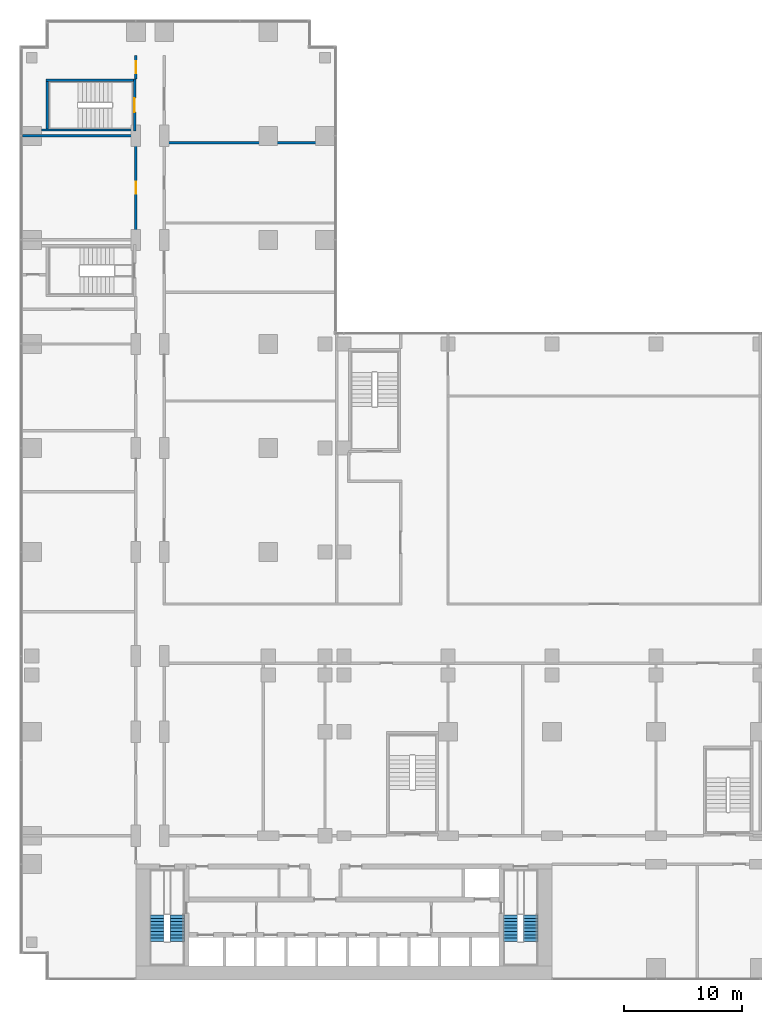
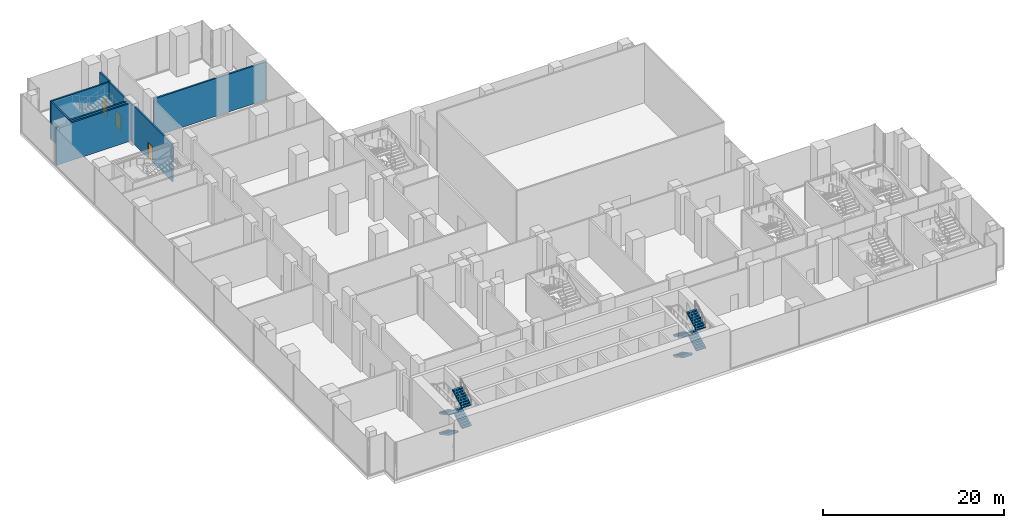
# One storey, part 22 of 30: 8 stair flights, 8 walls, 3 doors, 3 openings, 2 elements without a shape of their own.
"""IFC4 building model written with IfcOpenShell, lengths in metres."""

from ifc_helpers import new_model, si_unit, direction, frame, frame_2d, origin, place, context, subcontext, project, spatial, polyline, rectangle, outline, extrude, material, layer, layer_set, type_object, element, fill, aggregate, save


model = new_model("IFC4")

# Units and contexts
model_context = context("Model", 3, precision=1e-05, world=origin(), true_north=direction((0.0, 1.0)))
body_context = subcontext(model_context, "Body", "Model", "MODEL_VIEW")
ifc_project = project(units=[si_unit("LENGTHUNIT", "METRE"), si_unit("AREAUNIT", "SQUARE_METRE"), si_unit("VOLUMEUNIT", "CUBIC_METRE"), si_unit("PLANEANGLEUNIT", "RADIAN"), si_unit("MASSUNIT", "GRAM", prefix="KILO")], contexts=[model_context])

# Site, building, storey
site_placement = place(None, origin())
site = spatial("IfcSite", under=ifc_project, at=site_placement, CompositionType="ELEMENT")
building_placement = place(site_placement, origin())
building = spatial("IfcBuilding", under=site, at=building_placement, Name="Kemantara Hotel Tower", CompositionType="ELEMENT")
storey_placement = place(building_placement, frame((0.0, 0.0, 18.0)))
storey = spatial("IfcBuildingStorey", under=building, at=storey_placement, Name="L03", CompositionType="ELEMENT", Elevation=18.0)

# Wall, opening, door
ifc_material_1 = material(Name="Concrete fc 40 MPa", Category="concrete")
ifc_layer_1 = layer(ifc_material_1, 0.199951171875)
ifc_layer_set_1 = layer_set([ifc_layer_1], Name="Concrete fc 40 MPa")
wall_type_1 = type_object("IfcWallType", Name="Concrete stair wall 200 mm", PredefinedType="SHEAR", material=ifc_layer_set_1)
wall_1_placement = place(storey_placement, frame((9.699951171875, 71.800048828125, 0.0), z_axis=(0.0, 0.0, 1.0), x_axis=(0.0, 1.0, 0.0)))
wall_1 = element("IfcWall", 1, at=wall_1_placement, inside=storey, type_object=wall_type_1, Name="Stair ST6 enclosure wall with door", PredefinedType="SHEAR", context=body_context, shape_type="SweptSolid", body=[
    extrude(rectangle(XDim=4.39990234375, YDim=0.199951171875, at=frame_2d((2.199951171875, 0.0))), origin(), (0.0, 0.0, 1.0), 5.10009765625),
])
opening_1_placement = place(wall_1_placement, frame((1.60009765625, 0.0, 0.0)))
opening_1 = element("IfcOpeningElement", 2, at=opening_1_placement, cuts=wall_1, Name="Opening ST6-C", PredefinedType="OPENING", context=body_context, shape_type="SweptSolid", body=[
    extrude(rectangle(XDim=1.199951171875, YDim=2.10009765625, at=frame_2d((0.60009765625, 1.050048828125))), frame((0.0, 0.10986328125, 0.0), z_axis=(0.0, -1.0, 0.0), x_axis=(1.0, 0.0, 0.0)), (0.0, 0.0, 1.0), 0.219970703125),
])
ifc_material_2 = material(Name="Steel fire door", Category="steel")
door_type_1 = type_object("IfcDoorType", Name="Fire door FD90 1200 x 2100", OperationType="NOTDEFINED", PredefinedType="DOOR", material=ifc_material_2)
door_1_placement = place(opening_1_placement, origin())
door_1 = element("IfcDoor", 3, at=door_1_placement, inside=storey, type_object=door_type_1, Name="Stair ST6 door", OperationType="SINGLE_SWING_RIGHT", OverallHeight=2.10009765625, OverallWidth=1.199951171875, PredefinedType="DOOR", context=body_context, shape_type="SweptSolid", body=[
    extrude(rectangle(XDim=1.199951171875, YDim=2.10009765625, at=frame_2d((0.60009765625, 1.050048828125))), frame((0.0, 0.02490234375, 0.0), z_axis=(0.0, -1.0, 0.0), x_axis=(1.0, 0.0, 0.0)), (0.0, 0.0, 1.0), 0.050048828125),
])
fill(opening_1, door_1)

# Walls
wall_2_placement = place(storey_placement, frame((2.199951171875, 76.10009765625, 0.0), z_axis=(0.0, 0.0, 1.0), x_axis=(1.0, 0.0, 0.0)))
element("IfcWall", 4, at=wall_2_placement, inside=storey, type_object=wall_type_1, Name="Stair ST6 enclosure wall N", PredefinedType="SHEAR", context=body_context, shape_type="SweptSolid", body=[
    extrude(rectangle(XDim=7.400146484375, YDim=0.199951171875, at=frame_2d((3.7001953125, 0.0))), origin(), (0.0, 0.0, 1.0), 5.10009765625),
])
wall_3_placement = place(storey_placement, frame((1.800048828125, 71.89990234375, 0.0), z_axis=(0.0, 0.0, 1.0), x_axis=(1.0, 0.0, 0.0)))
element("IfcWall", 5, at=wall_3_placement, inside=storey, type_object=wall_type_1, Name="Stair ST6 enclosure wall S", PredefinedType="SHEAR", context=body_context, shape_type="SweptSolid", body=[
    extrude(rectangle(XDim=7.800048828125, YDim=0.199951171875, at=frame_2d((3.89990234375, 0.0))), origin(), (0.0, 0.0, 1.0), 5.10009765625),
])
wall_4_placement = place(storey_placement, frame((2.300048828125, 72.0, 0.0), z_axis=(0.0, 0.0, 1.0), x_axis=(0.0, 1.0, 0.0)))
element("IfcWall", 6, at=wall_4_placement, inside=storey, type_object=wall_type_1, Name="Stair ST6 enclosure wall W", PredefinedType="SHEAR", context=body_context, shape_type="SweptSolid", body=[
    extrude(rectangle(XDim=4.0, YDim=0.199951171875, at=frame_2d((2.0, 0.0))), origin(), (0.0, 0.0, 1.0), 5.10009765625),
])

# Wall, opening, door
ifc_material_3 = material(Name="Fire-rated gypsum board partition")
ifc_layer_2 = layer(ifc_material_3, 0.199951171875)
ifc_layer_set_2 = layer_set([ifc_layer_2], Name="Fire-rated gypsum board partition")
wall_type_2 = type_object("IfcWallType", Name="FIRE-RATED GYPSUM PARTITION 200 EI 60", PredefinedType="PARTITIONING", material=ifc_layer_set_2)
wall_5_placement = place(storey_placement, frame((9.800048828125, 62.199951171875, 0.0), z_axis=(0.0, 0.0, 1.0), x_axis=(0.0, 1.0, 0.0)))
wall_5 = element("IfcWall", 7, at=wall_5_placement, inside=storey, type_object=wall_type_2, Name="FIRE-RATED PARTITION", PredefinedType="PARTITIONING", context=body_context, shape_type="SweptSolid", body=[
    extrude(rectangle(XDim=9.60009765625, YDim=0.199951171875, at=frame_2d((4.800048828125, 0.0))), origin(), (0.0, 0.0, 1.0), 5.10009765625),
])
opening_2_placement = place(wall_5_placement, frame((4.300048828125, 0.0, 0.0)))
opening_2 = element("IfcOpeningElement", 8, at=opening_2_placement, cuts=wall_5, Name="Opening L03-B012", PredefinedType="OPENING", context=body_context, shape_type="SweptSolid", body=[
    extrude(rectangle(XDim=1.0, YDim=2.10009765625, at=frame_2d((0.5, 1.050048828125))), frame((0.0, 0.10986328125, 0.0), z_axis=(0.0, -1.0, 0.0), x_axis=(1.0, 0.0, 0.0)), (0.0, 0.0, 1.0), 0.219970703125),
])
ifc_material_4 = material(Name="Timber veneer door leaf", Category="wood")
door_type_2 = type_object("IfcDoorType", Name="SINGLE LEAF TIMBER DOOR 1000 X 2100", OperationType="SINGLE_SWING_LEFT", PredefinedType="DOOR", material=ifc_material_4)
door_2_placement = place(opening_2_placement, origin())
door_2 = element("IfcDoor", 9, at=door_2_placement, inside=storey, type_object=door_type_2, Name="SINGLE LEAF TIMBER DOOR", OperationType="SINGLE_SWING_RIGHT", OverallHeight=2.10009765625, OverallWidth=1.0, PredefinedType="DOOR", context=body_context, shape_type="SweptSolid", body=[
    extrude(rectangle(XDim=1.0, YDim=2.10009765625, at=frame_2d((0.5, 1.050048828125))), frame((0.0, 0.02490234375, 0.0), z_axis=(0.0, -1.0, 0.0), x_axis=(1.0, 0.0, 0.0)), (0.0, 0.0, 1.0), 0.050048828125),
])
fill(opening_2, door_2)

wall_6_placement = place(storey_placement, frame((9.800048828125, 76.199951171875, 0.0), z_axis=(0.0, 0.0, 1.0), x_axis=(0.0, 1.0, 0.0)))
wall_6 = element("IfcWall", 10, at=wall_6_placement, inside=storey, type_object=wall_type_2, Name="FIRE-RATED PARTITION", PredefinedType="PARTITIONING", context=body_context, shape_type="SweptSolid", body=[
    extrude(rectangle(XDim=2.0, YDim=0.199951171875, at=frame_2d((1.0, 0.0))), origin(), (0.0, 0.0, 1.0), 5.10009765625),
])
opening_3_placement = place(wall_6_placement, frame((0.5, 0.0, 0.0)))
opening_3 = element("IfcOpeningElement", 11, at=opening_3_placement, cuts=wall_6, Name="Opening L03-B013", PredefinedType="OPENING", context=body_context, shape_type="SweptSolid", body=[
    extrude(rectangle(XDim=1.0, YDim=2.10009765625, at=frame_2d((0.5, 1.050048828125))), frame((0.0, 0.10986328125, 0.0), z_axis=(0.0, -1.0, 0.0), x_axis=(1.0, 0.0, 0.0)), (0.0, 0.0, 1.0), 0.219970703125),
])
door_3_placement = place(opening_3_placement, origin())
door_3 = element("IfcDoor", 12, at=door_3_placement, inside=storey, type_object=door_type_2, Name="SINGLE LEAF TIMBER DOOR", OperationType="SINGLE_SWING_RIGHT", OverallHeight=2.10009765625, OverallWidth=1.0, PredefinedType="DOOR", context=body_context, shape_type="SweptSolid", body=[
    extrude(rectangle(XDim=1.0, YDim=2.10009765625, at=frame_2d((0.5, 1.050048828125))), frame((0.0, 0.02490234375, 0.0), z_axis=(0.0, -1.0, 0.0), x_axis=(1.0, 0.0, 0.0)), (0.0, 0.0, 1.0), 0.050048828125),
])
fill(opening_3, door_3)

# Walls
ifc_material_5 = material(Name="Gypsum board partition")
ifc_layer_3 = layer(ifc_material_5, 0.199951171875)
ifc_layer_set_3 = layer_set([ifc_layer_3], Name="Gypsum board partition")
wall_type_3 = type_object("IfcWallType", Name="GYPSUM BOARD PARTITION 200", PredefinedType="PARTITIONING", material=ifc_layer_set_3)
wall_7_placement = place(storey_placement, frame((0.199951171875, 71.39990234375, 0.0), z_axis=(0.0, 0.0, 1.0), x_axis=(1.0, 0.0, 0.0)))
element("IfcWall", 13, at=wall_7_placement, inside=storey, type_object=wall_type_3, Name="PARTITION", PredefinedType="PARTITIONING", context=body_context, shape_type="SweptSolid", body=[
    extrude(rectangle(XDim=9.5, YDim=0.199951171875, at=frame_2d((4.75, 0.0))), origin(), (0.0, 0.0, 1.0), 5.10009765625),
])
wall_8_placement = place(storey_placement, frame((12.300048828125, 70.820068359375, 0.0), z_axis=(0.0, 0.0, 1.0), x_axis=(1.0, 0.0, 0.0)))
element("IfcWall", 14, at=wall_8_placement, inside=storey, type_object=wall_type_3, Name="PARTITION", PredefinedType="PARTITIONING", context=body_context, shape_type="SweptSolid", body=[
    extrude(rectangle(XDim=14.300048828125, YDim=0.199951171875, at=frame_2d((7.14990234375, 0.0))), origin(), (0.0, 0.0, 1.0), 5.10009765625),
])

# Stair, stair flights
stair_type = type_object("IfcStairType", Name="Stair 1200 wide 36 risers of 153 x 280 mm", PredefinedType="HALF_TURN_STAIR", material=ifc_material_1)
stair_1_placement = place(storey_placement, origin())
stair_1 = element("IfcStair", 15, at=stair_1_placement, inside=storey, type_object=stair_type, Name="L03 Exit stair ST1", PredefinedType="HALF_TURN_STAIR")
stair_flight_type = type_object("IfcStairFlightType", Name="Stair flight 1200 wide 153 x 280 mm", PredefinedType="STRAIGHT", material=ifc_material_1)
stair_flight_1_placement = place(storey_placement, frame((11.60009765625, 5.5, 0.0), z_axis=(0.0, 0.0, 1.0), x_axis=(0.0, -1.0, 0.0)))
stair_flight_1 = element("IfcStairFlight", 16, at=stair_flight_1_placement, type_object=stair_flight_type, Name="ST1 flight 1", NumberOfRisers=9, NumberOfTreads=8, PredefinedType="STRAIGHT", RiserHeight=0.152777778, TreadLength=0.28, context=body_context, shape_type="SweptSolid", body=[
    extrude(outline(polyline([(0.0, 0.0), (0.0, 0.15283203125), (0.280029296875, 0.15283203125), (0.280029296875, 0.3056640625), (0.56005859375, 0.3056640625), (0.56005859375, 0.458251953125), (0.840087890625, 0.458251953125), (0.840087890625, 0.611083984375), (1.1201171875, 0.611083984375), (1.1201171875, 0.763916015625), (1.39990234375, 0.763916015625), (1.39990234375, 0.916748046875), (1.679931640625, 0.916748046875), (1.679931640625, 1.0693359375), (1.9599609375, 1.0693359375), (1.9599609375, 1.22216796875), (2.239990234375, 1.22216796875), (2.239990234375, 1.375), (2.239990234375, 1.051513671875), (0.31298828125, 0.0), (0.0, 0.0)])), frame((0.0, 0.60009765625, 0.0), z_axis=(0.0, -1.0, 0.0), x_axis=(1.0, 0.0, 0.0)), (0.0, 0.0, 1.0), 1.199951171875),
])
stair_flight_2_placement = place(storey_placement, frame((13.300048828125, 3.260009765625, 1.375), z_axis=(0.0, 0.0, 1.0), x_axis=(0.0, 1.0, 0.0)))
stair_flight_2 = element("IfcStairFlight", 17, at=stair_flight_2_placement, type_object=stair_flight_type, Name="ST1 flight 2", NumberOfRisers=9, NumberOfTreads=8, PredefinedType="STRAIGHT", RiserHeight=0.152777778, TreadLength=0.28, context=body_context, shape_type="SweptSolid", body=[
    extrude(outline(polyline([(0.0, 0.0), (0.0, 0.15283203125), (0.280029296875, 0.15283203125), (0.280029296875, 0.3056640625), (0.56005859375, 0.3056640625), (0.56005859375, 0.458251953125), (0.840087890625, 0.458251953125), (0.840087890625, 0.611083984375), (1.1201171875, 0.611083984375), (1.1201171875, 0.763916015625), (1.39990234375, 0.763916015625), (1.39990234375, 0.916748046875), (1.679931640625, 0.916748046875), (1.679931640625, 1.0693359375), (1.9599609375, 1.0693359375), (1.9599609375, 1.22216796875), (2.239990234375, 1.22216796875), (2.239990234375, 1.375), (2.239990234375, 1.051513671875), (0.31298828125, 0.0), (0.0, 0.0)])), frame((0.0, 0.60009765625, 0.0), z_axis=(0.0, -1.0, 0.0), x_axis=(1.0, 0.0, 0.0)), (0.0, 0.0, 1.0), 1.199951171875),
])
stair_flight_3_placement = place(storey_placement, frame((11.60009765625, 5.5, 2.75), z_axis=(0.0, 0.0, 1.0), x_axis=(0.0, -1.0, 0.0)))
stair_flight_3 = element("IfcStairFlight", 18, at=stair_flight_3_placement, type_object=stair_flight_type, Name="ST1 flight 3", NumberOfRisers=9, NumberOfTreads=8, PredefinedType="STRAIGHT", RiserHeight=0.152777778, TreadLength=0.28, context=body_context, shape_type="SweptSolid", body=[
    extrude(outline(polyline([(0.0, 0.0), (0.0, 0.15283203125), (0.280029296875, 0.15283203125), (0.280029296875, 0.3056640625), (0.56005859375, 0.3056640625), (0.56005859375, 0.458251953125), (0.840087890625, 0.458251953125), (0.840087890625, 0.611083984375), (1.1201171875, 0.611083984375), (1.1201171875, 0.763916015625), (1.39990234375, 0.763916015625), (1.39990234375, 0.916748046875), (1.679931640625, 0.916748046875), (1.679931640625, 1.0693359375), (1.9599609375, 1.0693359375), (1.9599609375, 1.22216796875), (2.239990234375, 1.22216796875), (2.239990234375, 1.375), (2.239990234375, 1.051513671875), (0.31298828125, 0.0), (0.0, 0.0)])), frame((0.0, 0.60009765625, 0.0), z_axis=(0.0, -1.0, 0.0), x_axis=(1.0, 0.0, 0.0)), (0.0, 0.0, 1.0), 1.199951171875),
])
stair_flight_4_placement = place(storey_placement, frame((13.300048828125, 3.260009765625, 4.125), z_axis=(0.0, 0.0, 1.0), x_axis=(0.0, 1.0, 0.0)))
stair_flight_4 = element("IfcStairFlight", 19, at=stair_flight_4_placement, type_object=stair_flight_type, Name="ST1 flight 4", NumberOfRisers=9, NumberOfTreads=8, PredefinedType="STRAIGHT", RiserHeight=0.152777778, TreadLength=0.28, context=body_context, shape_type="SweptSolid", body=[
    extrude(outline(polyline([(0.0, 0.0), (0.0, 0.15283203125), (0.280029296875, 0.15283203125), (0.280029296875, 0.3056640625), (0.56005859375, 0.3056640625), (0.56005859375, 0.458251953125), (0.840087890625, 0.458251953125), (0.840087890625, 0.611083984375), (1.1201171875, 0.611083984375), (1.1201171875, 0.763916015625), (1.39990234375, 0.763916015625), (1.39990234375, 0.916748046875), (1.679931640625, 0.916748046875), (1.679931640625, 1.0693359375), (1.9599609375, 1.0693359375), (1.9599609375, 1.22216796875), (2.239990234375, 1.22216796875), (2.239990234375, 1.375), (2.239990234375, 1.051513671875), (0.31298828125, 0.0), (0.0, 0.0)])), frame((0.0, 0.60009765625, 0.0), z_axis=(0.0, -1.0, 0.0), x_axis=(1.0, 0.0, 0.0)), (0.0, 0.0, 1.0), 1.199951171875),
])
aggregate(stair_1, [stair_flight_1, stair_flight_2, stair_flight_3, stair_flight_4])

stair_2_placement = place(storey_placement, origin())
stair_2 = element("IfcStair", 20, at=stair_2_placement, inside=storey, type_object=stair_type, Name="L03 Exit stair ST2", PredefinedType="HALF_TURN_STAIR")
stair_flight_5_placement = place(storey_placement, frame((41.5, 5.5, 0.0), z_axis=(0.0, 0.0, 1.0), x_axis=(0.0, -1.0, 0.0)))
stair_flight_5 = element("IfcStairFlight", 21, at=stair_flight_5_placement, type_object=stair_flight_type, Name="ST2 flight 1", NumberOfRisers=9, NumberOfTreads=8, PredefinedType="STRAIGHT", RiserHeight=0.152777778, TreadLength=0.28, context=body_context, shape_type="SweptSolid", body=[
    extrude(outline(polyline([(0.0, 0.0), (0.0, 0.15283203125), (0.280029296875, 0.15283203125), (0.280029296875, 0.3056640625), (0.56005859375, 0.3056640625), (0.56005859375, 0.458251953125), (0.840087890625, 0.458251953125), (0.840087890625, 0.611083984375), (1.1201171875, 0.611083984375), (1.1201171875, 0.763916015625), (1.39990234375, 0.763916015625), (1.39990234375, 0.916748046875), (1.679931640625, 0.916748046875), (1.679931640625, 1.0693359375), (1.9599609375, 1.0693359375), (1.9599609375, 1.22216796875), (2.239990234375, 1.22216796875), (2.239990234375, 1.375), (2.239990234375, 1.051513671875), (0.31298828125, 0.0), (0.0, 0.0)])), frame((0.0, 0.60009765625, 0.0), z_axis=(0.0, -1.0, 0.0), x_axis=(1.0, 0.0, 0.0)), (0.0, 0.0, 1.0), 1.199951171875),
])
stair_flight_6_placement = place(storey_placement, frame((43.199951171875, 3.260009765625, 1.375), z_axis=(0.0, 0.0, 1.0), x_axis=(0.0, 1.0, 0.0)))
stair_flight_6 = element("IfcStairFlight", 22, at=stair_flight_6_placement, type_object=stair_flight_type, Name="ST2 flight 2", NumberOfRisers=9, NumberOfTreads=8, PredefinedType="STRAIGHT", RiserHeight=0.152777778, TreadLength=0.28, context=body_context, shape_type="SweptSolid", body=[
    extrude(outline(polyline([(0.0, 0.0), (0.0, 0.15283203125), (0.280029296875, 0.15283203125), (0.280029296875, 0.3056640625), (0.56005859375, 0.3056640625), (0.56005859375, 0.458251953125), (0.840087890625, 0.458251953125), (0.840087890625, 0.611083984375), (1.1201171875, 0.611083984375), (1.1201171875, 0.763916015625), (1.39990234375, 0.763916015625), (1.39990234375, 0.916748046875), (1.679931640625, 0.916748046875), (1.679931640625, 1.0693359375), (1.9599609375, 1.0693359375), (1.9599609375, 1.22216796875), (2.239990234375, 1.22216796875), (2.239990234375, 1.375), (2.239990234375, 1.051513671875), (0.31298828125, 0.0), (0.0, 0.0)])), frame((0.0, 0.60009765625, 0.0), z_axis=(0.0, -1.0, 0.0), x_axis=(1.0, 0.0, 0.0)), (0.0, 0.0, 1.0), 1.199951171875),
])
stair_flight_7_placement = place(storey_placement, frame((41.5, 5.5, 2.75), z_axis=(0.0, 0.0, 1.0), x_axis=(0.0, -1.0, 0.0)))
stair_flight_7 = element("IfcStairFlight", 23, at=stair_flight_7_placement, type_object=stair_flight_type, Name="ST2 flight 3", NumberOfRisers=9, NumberOfTreads=8, PredefinedType="STRAIGHT", RiserHeight=0.152777778, TreadLength=0.28, context=body_context, shape_type="SweptSolid", body=[
    extrude(outline(polyline([(0.0, 0.0), (0.0, 0.15283203125), (0.280029296875, 0.15283203125), (0.280029296875, 0.3056640625), (0.56005859375, 0.3056640625), (0.56005859375, 0.458251953125), (0.840087890625, 0.458251953125), (0.840087890625, 0.611083984375), (1.1201171875, 0.611083984375), (1.1201171875, 0.763916015625), (1.39990234375, 0.763916015625), (1.39990234375, 0.916748046875), (1.679931640625, 0.916748046875), (1.679931640625, 1.0693359375), (1.9599609375, 1.0693359375), (1.9599609375, 1.22216796875), (2.239990234375, 1.22216796875), (2.239990234375, 1.375), (2.239990234375, 1.051513671875), (0.31298828125, 0.0), (0.0, 0.0)])), frame((0.0, 0.60009765625, 0.0), z_axis=(0.0, -1.0, 0.0), x_axis=(1.0, 0.0, 0.0)), (0.0, 0.0, 1.0), 1.199951171875),
])
stair_flight_8_placement = place(storey_placement, frame((43.199951171875, 3.260009765625, 4.125), z_axis=(0.0, 0.0, 1.0), x_axis=(0.0, 1.0, 0.0)))
stair_flight_8 = element("IfcStairFlight", 24, at=stair_flight_8_placement, type_object=stair_flight_type, Name="ST2 flight 4", NumberOfRisers=9, NumberOfTreads=8, PredefinedType="STRAIGHT", RiserHeight=0.152777778, TreadLength=0.28, context=body_context, shape_type="SweptSolid", body=[
    extrude(outline(polyline([(0.0, 0.0), (0.0, 0.15283203125), (0.280029296875, 0.15283203125), (0.280029296875, 0.3056640625), (0.56005859375, 0.3056640625), (0.56005859375, 0.458251953125), (0.840087890625, 0.458251953125), (0.840087890625, 0.611083984375), (1.1201171875, 0.611083984375), (1.1201171875, 0.763916015625), (1.39990234375, 0.763916015625), (1.39990234375, 0.916748046875), (1.679931640625, 0.916748046875), (1.679931640625, 1.0693359375), (1.9599609375, 1.0693359375), (1.9599609375, 1.22216796875), (2.239990234375, 1.22216796875), (2.239990234375, 1.375), (2.239990234375, 1.051513671875), (0.31298828125, 0.0), (0.0, 0.0)])), frame((0.0, 0.60009765625, 0.0), z_axis=(0.0, -1.0, 0.0), x_axis=(1.0, 0.0, 0.0)), (0.0, 0.0, 1.0), 1.199951171875),
])
aggregate(stair_2, [stair_flight_5, stair_flight_6, stair_flight_7, stair_flight_8])

save(model, "model.ifc")
